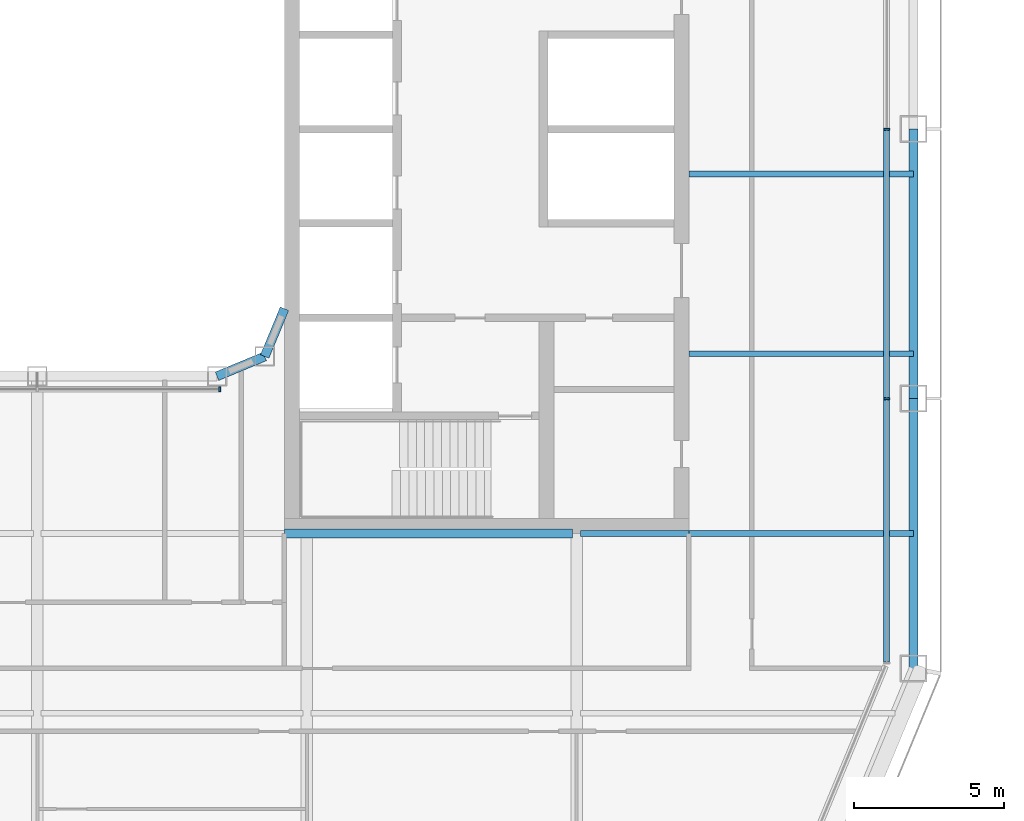
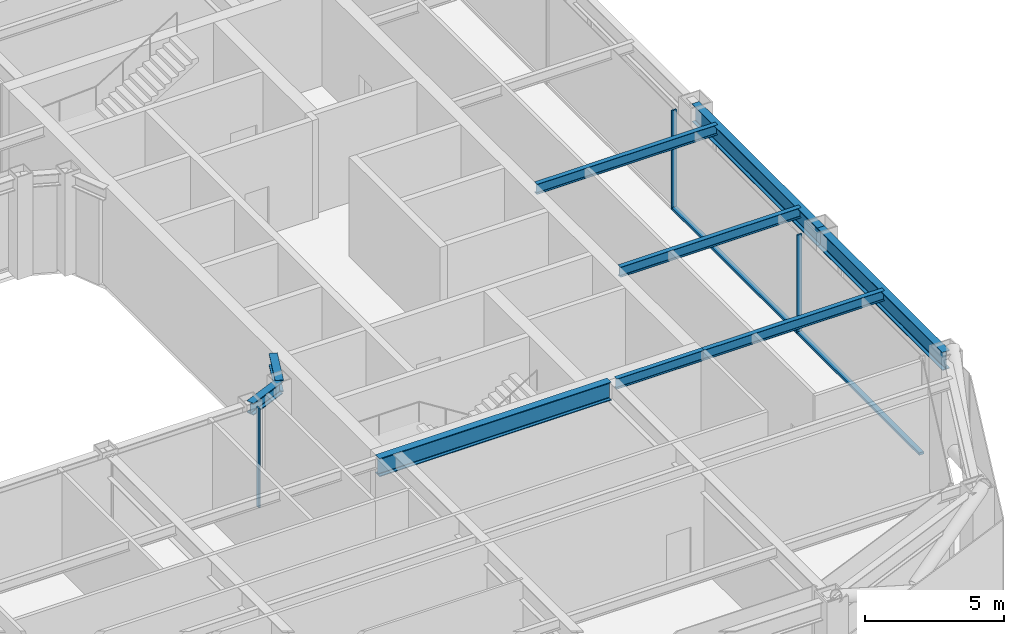
# One storey, part 5 of 23: 9 beams, 5 members, 2 elements without a shape of their own.
"""IFC4 building model written with IfcOpenShell, lengths in metres."""

from ifc_helpers import new_model, si_unit, direction, frame, origin, origin_2d, place, context, subcontext, project, spatial, rectangle, i_section, extrude, material, layer, layer_set, material_profile, profile_set, type_object, element, aggregate, save


model = new_model("IFC4")

# Units and contexts
model_context = context("Model", 3, precision=1e-05, world=origin(), true_north=direction((0.0, 1.0)))
body_context = subcontext(model_context, "Body", "Model", "MODEL_VIEW")
ifc_project = project(units=[si_unit("LENGTHUNIT", "METRE"), si_unit("AREAUNIT", "SQUARE_METRE"), si_unit("VOLUMEUNIT", "CUBIC_METRE"), si_unit("PLANEANGLEUNIT", "RADIAN"), si_unit("MASSUNIT", "GRAM", prefix="KILO")], contexts=[model_context])

# Site, building, storey
site_placement = place(None, origin())
site = spatial("IfcSite", under=ifc_project, at=site_placement, CompositionType="ELEMENT")
building_placement = place(site_placement, origin())
building = spatial("IfcBuilding", under=site, at=building_placement, Name="Siwar Civic Tower", CompositionType="ELEMENT")
storey_placement = place(building_placement, frame((0.0, 0.0, 167.699951171875)))
storey = spatial("IfcBuildingStorey", under=building, at=storey_placement, Name="L36", CompositionType="ELEMENT", Elevation=167.699951171875)

# Curtain wall, members
ifc_material_1 = material(Name="Aluminium and glass", Category="aluminium")
ifc_layer_1 = layer(ifc_material_1, 0.199951171875)
ifc_layer_set_1 = layer_set([ifc_layer_1], Name="Aluminium and glass")
curtain_wall_type_1 = type_object("IfcCurtainWallType", Name="ENV-CW-B", PredefinedType="NOTDEFINED", material=ifc_layer_set_1)
curtain_wall_1_placement = place(storey_placement, origin())
curtain_wall_1 = element("IfcCurtainWall", 1, at=curtain_wall_1_placement, inside=storey, type_object=curtain_wall_type_1, Name="Curtain wall B E", PredefinedType="NOTDEFINED")
ifc_material_2 = material(Name="Aluminium 6063-T6", Category="aluminium")
ifc_material_profile_1 = material_profile(ifc_material_2, rectangle(XDim=0.199951171875, YDim=0.06494140625, at=origin_2d()), Name="AL 200x65")
ifc_profile_set_1 = profile_set([ifc_material_profile_1], Name="Aluminium 6063-T6")
member_type_1 = type_object("IfcMemberType", Name="ENV-MULLION-B", PredefinedType="MULLION", material=ifc_profile_set_1)
member_1_placement = place(storey_placement, frame((28.35009765625, -9.0, 0.0), z_axis=(0.0, 0.0, 1.0), x_axis=(-1.0, 0.0, 0.0)))
member_1 = element("IfcMember", 2, at=member_1_placement, type_object=member_type_1, Name="Mullion B E 2", PredefinedType="MULLION", context=body_context, shape_type="SweptSolid", body=[
    extrude(rectangle(XDim=0.199951171875, YDim=0.06494140625, at=origin_2d()), origin(), (0.0, 0.0, 1.0), 4.35009765625),
])
member_2_placement = place(storey_placement, frame((28.35009765625, 0.0, 0.0), z_axis=(0.0, 0.0, 1.0), x_axis=(-1.0, 0.0, 0.0)))
member_2 = element("IfcMember", 3, at=member_2_placement, type_object=member_type_1, Name="Mullion B E 3", PredefinedType="MULLION", context=body_context, shape_type="SweptSolid", body=[
    extrude(rectangle(XDim=0.199951171875, YDim=0.06494140625, at=origin_2d()), origin(), (0.0, 0.0, 1.0), 4.35009765625),
])

# Curtain wall, member
ifc_material_3 = material(Name="Aluminium and glass", Category="aluminium")
ifc_layer_2 = layer(ifc_material_3, 0.179931640625)
ifc_layer_set_2 = layer_set([ifc_layer_2], Name="Aluminium and glass")
curtain_wall_type_2 = type_object("IfcCurtainWallType", Name="ENV-CW-W", PredefinedType="NOTDEFINED", material=ifc_layer_set_2)
curtain_wall_2_placement = place(storey_placement, origin())
curtain_wall_2 = element("IfcCurtainWall", 4, at=curtain_wall_2_placement, inside=storey, type_object=curtain_wall_type_2, Name="Curtain wall W WS", PredefinedType="NOTDEFINED")
ifc_material_4 = material(Name="Aluminium 6063-T6", Category="aluminium")
ifc_material_profile_2 = material_profile(ifc_material_4, rectangle(XDim=0.179931640625, YDim=0.06005859375, at=origin_2d()), Name="AL 180x60")
ifc_profile_set_2 = profile_set([ifc_material_profile_2], Name="Aluminium 6063-T6")
member_type_2 = type_object("IfcMemberType", Name="ENV-MULLION-W", PredefinedType="MULLION", material=ifc_profile_set_2)
member_3_placement = place(storey_placement, frame((6.08642578125, -8.68505859375, 0.0), z_axis=(0.0, 0.0, 1.0), x_axis=(0.0, 1.0, 0.0)))
member_3 = element("IfcMember", 5, at=member_3_placement, type_object=member_type_2, Name="Mullion W WS 3", PredefinedType="MULLION", context=body_context, shape_type="SweptSolid", body=[
    extrude(rectangle(XDim=0.179931640625, YDim=0.06005859375, at=origin_2d()), origin(), (0.0, 0.0, 1.0), 4.35009765625),
])
aggregate(curtain_wall_2, [member_3])

# Member
ifc_material_5 = material(Name="Aluminium 6063-T6", Category="aluminium")
ifc_material_profile_3 = material_profile(ifc_material_5, rectangle(XDim=0.199951171875, YDim=0.110107421875, at=origin_2d()), Name="AL 200x110")
ifc_profile_set_3 = profile_set([ifc_material_profile_3], Name="Aluminium 6063-T6")
member_type_3 = type_object("IfcMemberType", Name="ENV-TRANSOM-B", PredefinedType="USERDEFINED", material=ifc_profile_set_3)
member_4_placement = place(storey_placement, frame((28.35009765625, -17.78857421875, 0.054931640625), z_axis=(0.0, 1.0, 0.0), x_axis=(-1.0, 0.0, 0.0)))
member_4 = element("IfcMember", 6, at=member_4_placement, type_object=member_type_3, Name="Transom B E 1", ObjectType="TRANSOM", PredefinedType="USERDEFINED", context=body_context, shape_type="SweptSolid", body=[
    extrude(rectangle(XDim=0.199951171875, YDim=0.110107421875, at=origin_2d()), origin(), (0.0, 0.0, 1.0), 8.756103515625),
])

member_5_placement = place(storey_placement, frame((28.35009765625, -8.967529296875, 0.054931640625), z_axis=(0.0, 1.0, 0.0), x_axis=(-1.0, 0.0, 0.0)))
member_5 = element("IfcMember", 7, at=member_5_placement, type_object=member_type_3, Name="Transom B E 2", ObjectType="TRANSOM", PredefinedType="USERDEFINED", context=body_context, shape_type="SweptSolid", body=[
    extrude(rectangle(XDim=0.199951171875, YDim=0.110107421875, at=origin_2d()), origin(), (0.0, 0.0, 1.0), 8.93505859375),
])

aggregate(curtain_wall_1, [member_1, member_2, member_4, member_5])

# Beams
ifc_material_6 = material(Name="Steel S355", Category="steel")
ifc_material_profile_4 = material_profile(ifc_material_6, i_section(OverallWidth=0.18994140625, OverallDepth=0.449951171875, WebThickness=0.009521484375, FlangeThickness=0.0146484375, FilletRadius=0.02099609375, at=origin_2d()), Name="IPE450")
ifc_profile_set_4 = profile_set([ifc_material_profile_4], Name="Steel S355")
beam_type_1 = type_object("IfcBeamType", Name="STR-FB-IPE450", PredefinedType="JOIST", material=ifc_profile_set_4)
beam_1_placement = place(storey_placement, frame((18.1298828125, -13.5, 4.125), z_axis=(1.0, 0.0, 0.0), x_axis=(0.0, 1.0, 0.0)))
element("IfcBeam", 8, at=beam_1_placement, inside=storey, type_object=beam_type_1, Name="L36/bm/F019", PredefinedType="JOIST", context=body_context, shape_type="SweptSolid", body=[
    extrude(i_section(OverallWidth=0.18994140625, OverallDepth=0.449951171875, WebThickness=0.009521484375, FlangeThickness=0.0146484375, FilletRadius=0.02099609375, at=origin_2d()), origin(), (0.0, 0.0, 1.0), 3.6201171875),
])
for number, where, z_axis, x_axis, name in (
    (9, (21.75, -13.5, 4.125), (1.0, 0.0, 0.0), (0.0, 1.0, 0.0), "L36/bm/F020"),
    (10, (21.75, -7.5, 4.125), (1.0, 0.0, 0.0), (0.0, 1.0, 0.0), "L36/bm/F022"),
    (11, (21.75, -1.5, 4.125), (1.0, 0.0, 0.0), (0.0, 1.0, 0.0), "L36/bm/F024"),
):
    element("IfcBeam", number, at=place(storey_placement, frame(where, z_axis=z_axis, x_axis=x_axis)), inside=storey, type_object=beam_type_1, Name=name, PredefinedType="JOIST", context=body_context, shape_type="SweptSolid", body=[
        extrude(i_section(OverallWidth=0.18994140625, OverallDepth=0.449951171875, WebThickness=0.009521484375, FlangeThickness=0.0146484375, FilletRadius=0.02099609375, at=origin_2d()), origin(), (0.0, 0.0, 1.0), 7.5),
    ])
ifc_material_7 = material(Name="Steel S355", Category="steel")
ifc_material_profile_5 = material_profile(ifc_material_7, i_section(OverallWidth=0.300048828125, OverallDepth=0.800048828125, WebThickness=0.017578125, FlangeThickness=0.032958984375, FilletRadius=0.030029296875, at=origin_2d()), Name="HEB800")
ifc_profile_set_5 = profile_set([ifc_material_profile_5], Name="Steel S355")
beam_type_2 = type_object("IfcBeamType", Name="STR-PG-HEB800", PredefinedType="BEAM", material=ifc_profile_set_5)
beam_2_placement = place(storey_placement, frame((8.25, -13.5, 3.949951171875), z_axis=(1.0, 0.0, 0.0), x_axis=(0.0, 1.0, 0.0)))
element("IfcBeam", 12, at=beam_2_placement, inside=storey, type_object=beam_type_2, Name="L36/bm/F018", PredefinedType="BEAM", context=body_context, shape_type="SweptSolid", body=[
    extrude(i_section(OverallWidth=0.300048828125, OverallDepth=0.800048828125, WebThickness=0.017578125, FlangeThickness=0.032958984375, FilletRadius=0.030029296875, at=origin_2d()), origin(), (0.0, 0.0, 1.0), 9.6201171875),
])
ifc_material_8 = material(Name="Steel S355", Category="steel")
ifc_material_profile_6 = material_profile(ifc_material_8, i_section(OverallWidth=0.305908203125, OverallDepth=0.52392578125, WebThickness=0.02099609375, FlangeThickness=0.0400390625, FilletRadius=0.027099609375, at=origin_2d()), Name="HEM500")
ifc_profile_set_6 = profile_set([ifc_material_profile_6], Name="Steel S355")
beam_type_3 = type_object("IfcBeamType", Name="STR-RB-HEM500", PredefinedType="BEAM", material=ifc_profile_set_6)
for number, where, z_axis, x_axis, name in (
    (13, (6.0, -8.25, 4.088134765625), (0.923901072997, 0.382631424892, 0.0), (-0.382631424892, 0.923901072997, 0.0), "L36/bm/RS3"),
    (14, (7.591064453125, -7.591064453125, 4.088134765625), (0.382631424892, 0.923901072997, 0.0), (-0.923901072997, 0.382631424892, 0.0), "L36/bm/RSEE"),
):
    element("IfcBeam", number, at=place(storey_placement, frame(where, z_axis=z_axis, x_axis=x_axis)), inside=storey, type_object=beam_type_3, Name=name, PredefinedType="BEAM", context=body_context, shape_type="SweptSolid", body=[
        extrude(i_section(OverallWidth=0.305908203125, OverallDepth=0.52392578125, WebThickness=0.02099609375, FlangeThickness=0.0400390625, FilletRadius=0.027099609375, at=origin_2d()), origin(), (0.0, 0.0, 1.0), 1.72216796875),
    ])
ifc_material_9 = material(Name="Steel S355", Category="steel")
ifc_material_profile_7 = material_profile(ifc_material_9, i_section(OverallWidth=0.300048828125, OverallDepth=0.800048828125, WebThickness=0.017578125, FlangeThickness=0.032958984375, FilletRadius=0.030029296875, at=origin_2d()), Name="HEB800")
ifc_profile_set_7 = profile_set([ifc_material_profile_7], Name="Steel S355")
beam_type_4 = type_object("IfcBeamType", Name="STR-SB-HEB800", PredefinedType="BEAM", material=ifc_profile_set_7)
for number, where, z_axis, x_axis, name in (
    (15, (29.25, -18.0, 3.949951171875), (0.0, 1.0, 0.0), (-1.0, 0.0, 0.0), "L36/bm/SE-0"),
    (16, (29.25, -9.0, 3.949951171875), (0.0, 1.0, 0.0), (-1.0, 0.0, 0.0), "L36/bm/SE-1"),
):
    element("IfcBeam", number, at=place(storey_placement, frame(where, z_axis=z_axis, x_axis=x_axis)), inside=storey, type_object=beam_type_4, Name=name, PredefinedType="BEAM", context=body_context, shape_type="SweptSolid", body=[
        extrude(i_section(OverallWidth=0.300048828125, OverallDepth=0.800048828125, WebThickness=0.017578125, FlangeThickness=0.032958984375, FilletRadius=0.030029296875, at=origin_2d()), origin(), (0.0, 0.0, 1.0), 9.0),
    ])

save(model, "model.ifc")
